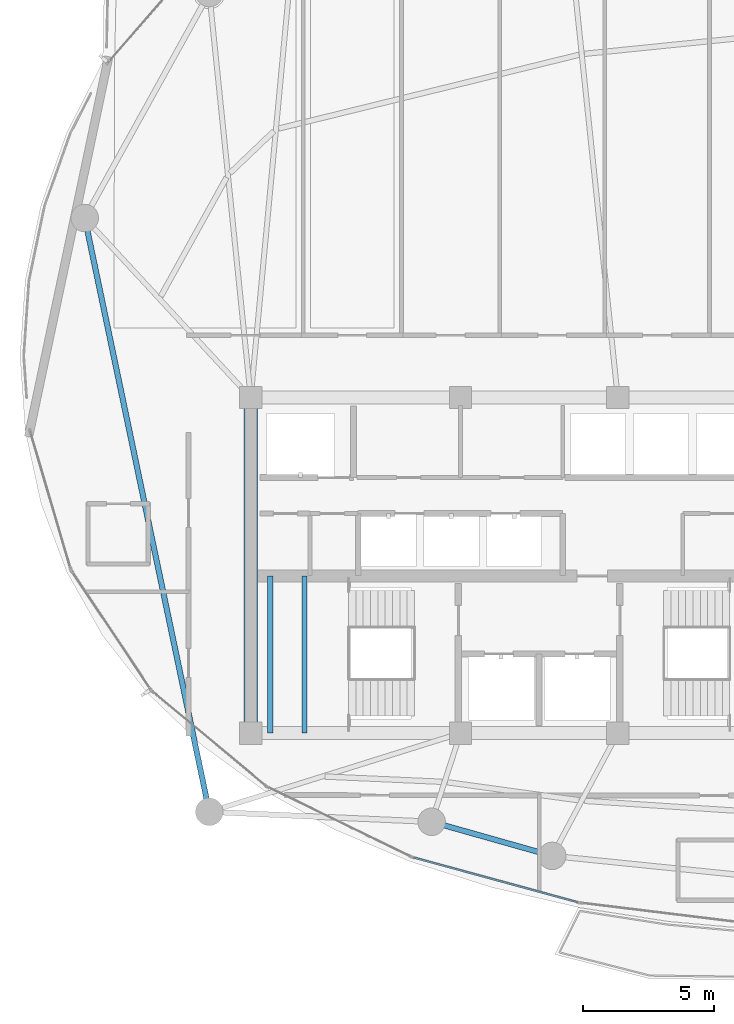
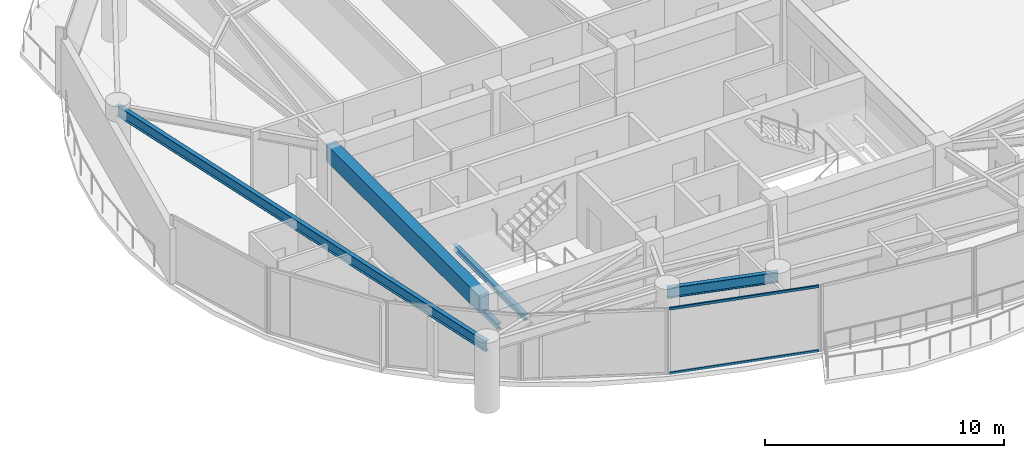
# One storey, part 4 of 29: 5 beams, 2 members, 1 element without a shape of its own.
"""IFC4 building model written with IfcOpenShell, lengths in metres."""

from ifc_helpers import new_model, si_unit, direction, frame, origin, origin_2d, place, context, subcontext, project, spatial, rectangle, hollow_rectangle, i_section, extrude, material, layer, layer_set, material_profile, profile_set, type_object, element, aggregate, save


model = new_model("IFC4")

# Units and contexts
model_context = context("Model", 3, precision=1e-05, world=origin(), true_north=direction((0.0, 1.0)))
body_context = subcontext(model_context, "Body", "Model", "MODEL_VIEW")
ifc_project = project(units=[si_unit("LENGTHUNIT", "METRE"), si_unit("AREAUNIT", "SQUARE_METRE"), si_unit("VOLUMEUNIT", "CUBIC_METRE"), si_unit("PLANEANGLEUNIT", "RADIAN"), si_unit("MASSUNIT", "GRAM", prefix="KILO")], contexts=[model_context])

# Site, building, storey
site_placement = place(None, origin())
site = spatial("IfcSite", under=ifc_project, at=site_placement, CompositionType="ELEMENT")
building_placement = place(site_placement, origin())
building = spatial("IfcBuilding", under=site, at=building_placement, Name="Kazevale Care Tower and Concert Hall", CompositionType="ELEMENT")
storey_placement = place(building_placement, frame((0.0, 0.0, 195.60009765625)))
storey = spatial("IfcBuildingStorey", under=building, at=storey_placement, Name="L51", CompositionType="ELEMENT", Elevation=195.60009765625)

# Curtain wall, members
ifc_material_1 = material(Name="Aluminium 6063-T6 and Low-E Glass", Category="aluminium")
ifc_layer = layer(ifc_material_1, 0.179931640625)
ifc_layer_set = layer_set([ifc_layer], Name="Aluminium 6063-T6 and Low-E Glass")
curtain_wall_type = type_object("IfcCurtainWallType", Name="Sheltered Concave Balcony Curtain Wall CW-5", PredefinedType="NOTDEFINED", material=ifc_layer_set)
curtain_wall_placement = place(storey_placement, origin())
curtain_wall = element("IfcCurtainWall", 1, at=curtain_wall_placement, inside=storey, type_object=curtain_wall_type, Name="cw:L51:f08", PredefinedType="NOTDEFINED")
ifc_material_2 = material(Name="Aluminium 6063-T6", Category="aluminium")
ifc_material_profile_1 = material_profile(ifc_material_2, hollow_rectangle(XDim=0.074951171875, YDim=0.1201171875, WallThickness=0.00390625, at=origin_2d()), Name="ALU75x120x4")
ifc_profile_set_1 = profile_set([ifc_material_profile_1], Name="Aluminium 6063-T6")
member_type = type_object("IfcMemberType", Name="CW-5 Transom ALU75x120x4", PredefinedType="USERDEFINED", material=ifc_profile_set_1)
member_1_placement = place(storey_placement, frame((34.458740234375, 17.15283203125, 0.037353515625), z_axis=(-0.964843890632, 0.262823641842, 0.0), x_axis=(-0.262823641842, -0.964843890632, 0.0)))
member_1 = element("IfcMember", 2, at=member_1_placement, type_object=member_type, Name="CW-5 transom 1.1", ObjectType="TRANSOM", PredefinedType="USERDEFINED", context=body_context, shape_type="SweptSolid", body=[
    extrude(hollow_rectangle(XDim=0.074951171875, YDim=0.1201171875, WallThickness=0.00390625, at=origin_2d()), origin(), (0.0, 0.0, 1.0), 6.469970703125),
])
member_2_placement = place(storey_placement, frame((34.458740234375, 17.15283203125, 3.322509765625), z_axis=(-0.964843890632, 0.262823641842, 0.0), x_axis=(-0.262823641842, -0.964843890632, 0.0)))
member_2 = element("IfcMember", 3, at=member_2_placement, type_object=member_type, Name="CW-5 transom 1.2", ObjectType="TRANSOM", PredefinedType="USERDEFINED", context=body_context, shape_type="SweptSolid", body=[
    extrude(hollow_rectangle(XDim=0.074951171875, YDim=0.1201171875, WallThickness=0.00390625, at=origin_2d()), origin(), (0.0, 0.0, 1.0), 6.469970703125),
])
aggregate(curtain_wall, [member_1, member_2])

# Beams
ifc_material_3 = material(Name="Concrete C60", Category="concrete")
ifc_material_profile_2 = material_profile(ifc_material_3, rectangle(XDim=0.5, YDim=0.85009765625, at=origin_2d()), Name="RC-B500x850")
ifc_profile_set_2 = profile_set([ifc_material_profile_2], Name="Concrete C60")
beam_type_1 = type_object("IfcBeamType", Name="Core Coupling Beam RC500x850", PredefinedType="LINTEL", material=ifc_profile_set_2)
beam_1_placement = place(storey_placement, frame((22.0, 36.39990234375, 2.934814453125), z_axis=(0.0, -1.0, 0.0), x_axis=(1.0, 0.0, 0.0)))
element("IfcBeam", 4, at=beam_1_placement, inside=storey, type_object=beam_type_1, Name="beam:L51:coretie:8", PredefinedType="LINTEL", context=body_context, shape_type="SweptSolid", body=[
    extrude(rectangle(XDim=0.5, YDim=0.85009765625, at=origin_2d()), origin(), (0.0, 0.0, 1.0), 12.7998046875),
])
ifc_material_4 = material(Name="Steel ASTM A572 Gr 50", Category="steel")
ifc_material_profile_3 = material_profile(ifc_material_4, i_section(OverallWidth=0.202880859375, OverallDepth=0.302978515625, WebThickness=0.007568359375, FlangeThickness=0.01318359375, at=origin_2d()), Name="W310x60")
ifc_profile_set_3 = profile_set([ifc_material_profile_3], Name="Steel ASTM A572 Gr 50")
beam_type_2 = type_object("IfcBeamType", Name="Stair & Balcony Trimmer W310x60", PredefinedType="BEAM", material=ifc_profile_set_3)
for number, where, z_axis, x_axis, name in (
    (5, (22.75, 23.60009765625, 1.448486328125), (0.0, 1.0, 0.0), (-1.0, 0.0, 0.0), "beam:L51:sttrim:ST1"),
    (6, (24.050048828125, 23.60009765625, 1.448486328125), (0.0, 1.0, 0.0), (-1.0, 0.0, 0.0), "beam:L51:sttrim:ST1b"),
):
    element("IfcBeam", number, at=place(storey_placement, frame(where, z_axis=z_axis, x_axis=x_axis)), inside=storey, type_object=beam_type_2, Name=name, PredefinedType="BEAM", context=body_context, shape_type="SweptSolid", body=[
        extrude(i_section(OverallWidth=0.202880859375, OverallDepth=0.302978515625, WebThickness=0.007568359375, FlangeThickness=0.01318359375, at=origin_2d()), origin(), (0.0, 0.0, 1.0), 6.0),
    ])
ifc_material_profile_4 = material_profile(ifc_material_4, i_section(OverallWidth=0.208984375, OverallDepth=0.532958984375, WebThickness=0.01025390625, FlangeThickness=0.015625, at=origin_2d()), Name="W530x92")
ifc_profile_set_4 = profile_set([ifc_material_profile_4], Name="Steel ASTM A572 Gr 50")
beam_type_3 = type_object("IfcBeamType", Name="Upper Ring Beam W530x92", PredefinedType="BEAM", material=ifc_profile_set_4)
beam_2_placement = place(storey_placement, frame((15.669921875, 43.25, 3.093505859375), z_axis=(0.205249071222, -0.978709772488, 0.0), x_axis=(0.978709772488, 0.205249071222, 0.0)))
element("IfcBeam", 7, at=beam_2_placement, inside=storey, type_object=beam_type_3, Name="beam:L51:ring:09", PredefinedType="BEAM", context=body_context, shape_type="SweptSolid", body=[
    extrude(i_section(OverallWidth=0.208984375, OverallDepth=0.532958984375, WebThickness=0.01025390625, FlangeThickness=0.015625, at=origin_2d()), origin(), (0.0, 0.0, 1.0), 23.142578125),
])
beam_3_placement = place(storey_placement, frame((28.89990234375, 20.219970703125, 3.093505859375), z_axis=(0.962308240836, -0.271961117846, 0.0), x_axis=(0.271961117846, 0.962308240836, 0.0)))
element("IfcBeam", 8, at=beam_3_placement, inside=storey, type_object=beam_type_3, Name="beam:L51:ring:11", PredefinedType="BEAM", context=body_context, shape_type="SweptSolid", body=[
    extrude(i_section(OverallWidth=0.208984375, OverallDepth=0.532958984375, WebThickness=0.01025390625, FlangeThickness=0.015625, at=origin_2d()), origin(), (0.0, 0.0, 1.0), 4.7802734375),
])

save(model, "model.ifc")
